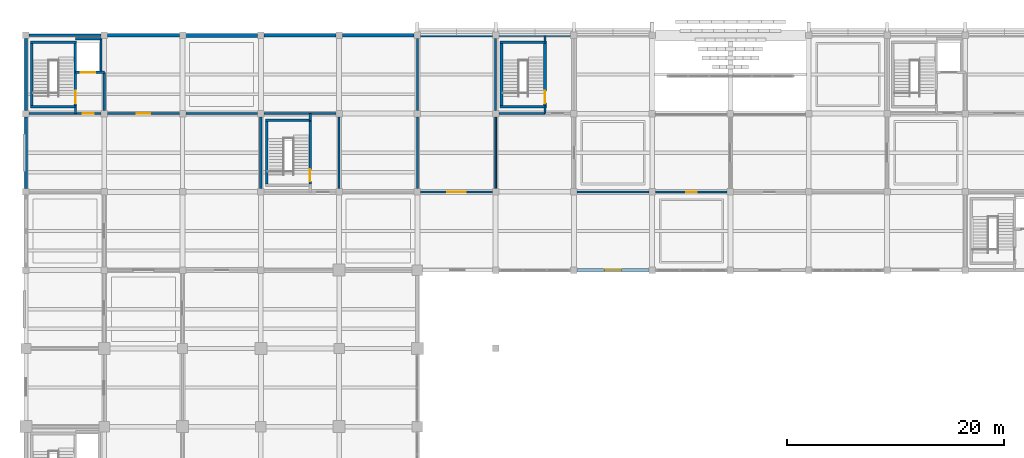
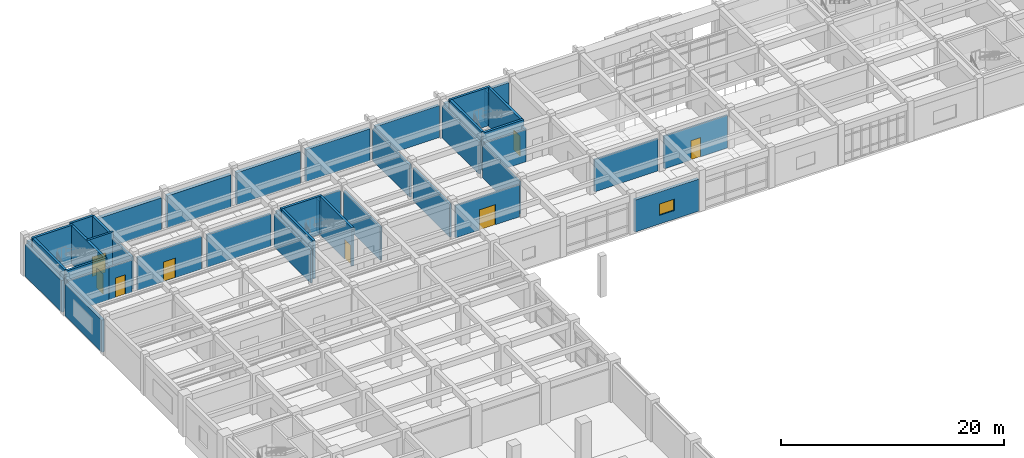
# One storey, part 65 of 81: 45 walls, 8 doors, 1 window, 9 openings.
"""IFC4 building model written with IfcOpenShell, lengths in metres."""

from ifc_helpers import new_model, si_unit, direction, frame, frame_2d, origin, place, context, subcontext, project, spatial, rectangle, extrude, material, layer, layer_set, type_object, element, fill, save


model = new_model("IFC4")

# Units and contexts
model_context = context("Model", 3, precision=1e-05, world=origin(), true_north=direction((0.0, 1.0)))
body_context = subcontext(model_context, "Body", "Model", "MODEL_VIEW")
ifc_project = project(units=[si_unit("LENGTHUNIT", "METRE"), si_unit("AREAUNIT", "SQUARE_METRE"), si_unit("VOLUMEUNIT", "CUBIC_METRE"), si_unit("PLANEANGLEUNIT", "RADIAN"), si_unit("MASSUNIT", "GRAM", prefix="KILO")], contexts=[model_context])

# Site, building, storey
site_placement = place(None, origin())
site = spatial("IfcSite", under=ifc_project, at=site_placement, CompositionType="ELEMENT")
building_placement = place(site_placement, origin())
building = spatial("IfcBuilding", under=site, at=building_placement, Name="Kavelor Marine Aquarium", CompositionType="ELEMENT")
storey_placement = place(building_placement, frame((0.0, 0.0, 4.679931640625)))
storey = spatial("IfcBuildingStorey", under=building, at=storey_placement, Name="L01", CompositionType="ELEMENT", Elevation=4.679931640625)

# Walls
ifc_material_1 = material(Name="Concrete C45/55", Category="concrete")
ifc_layer_1 = layer(ifc_material_1, 0.360107421875)
ifc_layer_set_1 = layer_set([ifc_layer_1], Name="WL-EX1")
wall_type_1 = type_object("IfcWallType", Name="WL-EX1", PredefinedType="STANDARD", material=ifc_layer_set_1)
wall_1_placement = place(storey_placement, frame((17.89501953125, 110.800048828125, 0.0), z_axis=(0.0, 0.0, 1.0), x_axis=(1.0, 0.0, 0.0)))
element("IfcWall", 1, at=wall_1_placement, inside=storey, type_object=wall_type_1, Name="ew:x:L01:02_15", PredefinedType="STANDARD", context=body_context, shape_type="SweptSolid", body=[
    extrude(rectangle(XDim=6.60986328125, YDim=0.360107421875, at=frame_2d((3.304931640625, 0.0))), origin(), (0.0, 0.0, 1.0), 3.489990234375),
])
ifc_material_2 = material(Name="Concrete C45/55", Category="concrete")
ifc_layer_2 = layer(ifc_material_2, 0.320068359375)
ifc_layer_set_2 = layer_set([ifc_layer_2], Name="WL-EX2")
wall_type_2 = type_object("IfcWallType", Name="WL-EX2", PredefinedType="STANDARD", material=ifc_layer_set_2)
wall_2_placement = place(storey_placement, frame((25.094970703125, 110.800048828125, 0.0), z_axis=(0.0, 0.0, 1.0), x_axis=(1.0, 0.0, 0.0)))
element("IfcWall", 2, at=wall_2_placement, inside=storey, type_object=wall_type_2, Name="ew:x:L01:03_15", PredefinedType="STANDARD", context=body_context, shape_type="SweptSolid", body=[
    extrude(rectangle(XDim=6.610107421875, YDim=0.320068359375, at=frame_2d((3.30517578125, 0.0))), origin(), (0.0, 0.0, 1.0), 3.510009765625),
])
ifc_material_3 = material(Name="Concrete C40/50", Category="concrete")
ifc_layer_3 = layer(ifc_material_3, 0.300048828125)
ifc_layer_set_3 = layer_set([ifc_layer_3], Name="WL-EX3")
wall_type_3 = type_object("IfcWallType", Name="WL-EX3", PredefinedType="STANDARD", material=ifc_layer_set_3)
wall_3_placement = place(storey_placement, frame((32.294921875, 110.800048828125, 0.0), z_axis=(0.0, 0.0, 1.0), x_axis=(1.0, 0.0, 0.0)))
element("IfcWall", 3, at=wall_3_placement, inside=storey, type_object=wall_type_3, Name="ew:x:L01:04_15", PredefinedType="STANDARD", context=body_context, shape_type="SweptSolid", body=[
    extrude(rectangle(XDim=6.610107421875, YDim=0.300048828125, at=frame_2d((3.30517578125, 0.0))), origin(), (0.0, 0.0, 1.0), 3.489990234375),
])

# Wall, opening, window
wall_4_placement = place(storey_placement, frame((60.5048828125, 89.199951171875, 0.0), z_axis=(0.0, 0.0, 1.0), x_axis=(-1.0, 0.0, 0.0)))
wall_4 = element("IfcWall", 4, at=wall_4_placement, inside=storey, type_object=wall_type_3, Name="ew:x:L01:07_12", PredefinedType="STANDARD", context=body_context, shape_type="SweptSolid", body=[
    extrude(rectangle(XDim=6.60986328125, YDim=0.300048828125, at=frame_2d((3.304931640625, 0.0))), origin(), (0.0, 0.0, 1.0), 3.510009765625),
])
opening_1_placement = place(wall_4_placement, frame((2.530029296875, 0.0, 0.949951171875)))
opening_1 = element("IfcOpeningElement", 5, at=opening_1_placement, cuts=wall_4, Name="Opening W27", PredefinedType="OPENING", context=body_context, shape_type="SweptSolid", body=[
    extrude(rectangle(XDim=1.550048828125, YDim=1.25, at=frame_2d((0.77490234375, 0.625))), frame((0.0, 0.159912109375, 0.0), z_axis=(0.0, -1.0, 0.0), x_axis=(1.0, 0.0, 0.0)), (0.0, 0.0, 1.0), 0.320049),
])
ifc_material_4 = material(Name="Anodised Aluminium Frame with Low-E Double Glazing", Category="aluminium")
window_type = type_object("IfcWindowType", Name="WIN-W27", PartitioningType="SINGLE_PANEL", PredefinedType="WINDOW", material=ifc_material_4)
window_placement = place(opening_1_placement, origin())
window = element("IfcWindow", 6, at=window_placement, inside=storey, type_object=window_type, Name="win:x:L01:07_12", OverallHeight=1.25, OverallWidth=1.550048828125, PartitioningType="SINGLE_PANEL", PredefinedType="WINDOW", context=body_context, shape_type="SweptSolid", body=[
    extrude(rectangle(XDim=1.550048828125, YDim=1.25, at=frame_2d((0.77490234375, 0.625))), frame((0.0, 0.030029296875, 0.0), z_axis=(0.0, -1.0, 0.0), x_axis=(1.0, 0.0, 0.0)), (0.0, 0.0, 1.0), 0.06005859375),
])
fill(opening_1, window)

# Walls
wall_5_placement = place(storey_placement, frame((3.199951171875, 96.695068359375, 0.0), z_axis=(0.0, 0.0, 1.0), x_axis=(0.0, 1.0, 0.0)))
element("IfcWall", 7, at=wall_5_placement, inside=storey, type_object=wall_type_3, Name="ew:y:L01:00_13", PredefinedType="STANDARD", context=body_context, shape_type="SweptSolid", body=[
    extrude(rectangle(XDim=6.60986328125, YDim=0.300048828125, at=frame_2d((3.304931640625, 0.0))), origin(), (0.0, 0.0, 1.0), 3.510009765625),
])
ifc_material_5 = material(Name="Concrete C40/50", Category="concrete")
ifc_layer_4 = layer(ifc_material_5, 0.280029296875)
ifc_layer_set_4 = layer_set([ifc_layer_4], Name="WL-EX4")
wall_type_4 = type_object("IfcWallType", Name="WL-EX4", PredefinedType="STANDARD", material=ifc_layer_set_4)
wall_6_placement = place(storey_placement, frame((39.4951171875, 110.800048828125, 0.0), z_axis=(0.0, 0.0, 1.0), x_axis=(1.0, 0.0, 0.0)))
element("IfcWall", 8, at=wall_6_placement, inside=storey, type_object=wall_type_4, Name="ew:x:L01:05_15", PredefinedType="STANDARD", context=body_context, shape_type="SweptSolid", body=[
    extrude(rectangle(XDim=6.60986328125, YDim=0.280029296875, at=frame_2d((3.304931640625, 0.0))), origin(), (0.0, 0.0, 1.0), 3.510009765625),
])
wall_7_placement = place(storey_placement, frame((3.199951171875, 103.89501953125, 0.0), z_axis=(0.0, 0.0, 1.0), x_axis=(0.0, 1.0, 0.0)))
element("IfcWall", 9, at=wall_7_placement, inside=storey, type_object=wall_type_4, Name="ew:y:L01:00_14", PredefinedType="STANDARD", context=body_context, shape_type="SweptSolid", body=[
    extrude(rectangle(XDim=6.60986328125, YDim=0.280029296875, at=frame_2d((3.304931640625, 0.0))), origin(), (0.0, 0.0, 1.0), 3.489990234375),
])
ifc_material_6 = material(Name="Concrete C40/50", Category="concrete")
ifc_layer_5 = layer(ifc_material_6, 0.260009765625)
ifc_layer_set_5 = layer_set([ifc_layer_5], Name="WL-EX5")
wall_type_5 = type_object("IfcWallType", Name="WL-EX5", PredefinedType="STANDARD", material=ifc_layer_set_5)
for number, where, z_axis, x_axis, name in (
    (10, (3.4951171875, 110.800048828125, 0.0), (0.0, 0.0, 1.0), (1.0, 0.0, 0.0), "ew:x:L01:00_15"),
    (11, (46.695068359375, 110.800048828125, 0.0), (0.0, 0.0, 1.0), (1.0, 0.0, 0.0), "ew:x:L01:06_15"),
):
    element("IfcWall", number, at=place(storey_placement, frame(where, z_axis=z_axis, x_axis=x_axis)), inside=storey, type_object=wall_type_5, Name=name, PredefinedType="STANDARD", context=body_context, shape_type="SweptSolid", body=[
        extrude(rectangle(XDim=6.60986328125, YDim=0.260009765625, at=frame_2d((3.304931640625, 0.0))), origin(), (0.0, 0.0, 1.0), 3.489990234375),
    ])
ifc_material_7 = material(Name="Concrete C45/55", Category="concrete")
ifc_layer_6 = layer(ifc_material_7, 0.340087890625)
ifc_layer_set_6 = layer_set([ifc_layer_6], Name="WL-EX6")
wall_type_6 = type_object("IfcWallType", Name="WL-EX6", PredefinedType="STANDARD", material=ifc_layer_set_6)
wall_8_placement = place(storey_placement, frame((10.695068359375, 110.800048828125, 0.0), z_axis=(0.0, 0.0, 1.0), x_axis=(1.0, 0.0, 0.0)))
element("IfcWall", 12, at=wall_8_placement, inside=storey, type_object=wall_type_6, Name="ew:x:L01:01_15", PredefinedType="STANDARD", context=body_context, shape_type="SweptSolid", body=[
    extrude(rectangle(XDim=6.60986328125, YDim=0.340087890625, at=frame_2d((3.304931640625, 0.0))), origin(), (0.0, 0.0, 1.0), 3.510009765625),
])
ifc_material_8 = material(Name="Concrete Blockwork Partition", Category="masonry")
ifc_layer_7 = layer(ifc_material_8, 0.199951171875)
ifc_layer_set_7 = layer_set([ifc_layer_7], Name="WL-PT1")
wall_type_7 = type_object("IfcWallType", Name="WL-PT1", PredefinedType="PARTITIONING", material=ifc_layer_set_7)
wall_9_placement = place(storey_placement, frame((7.739990234375, 103.60009765625, 0.0), z_axis=(0.0, 0.0, 1.0), x_axis=(0.0, 1.0, 0.0)))
element("IfcWall", 13, at=wall_9_placement, inside=storey, type_object=wall_type_7, Name="pt:st_close:s:C01:L01", PredefinedType="PARTITIONING", context=body_context, shape_type="SweptSolid", body=[
    extrude(rectangle(XDim=0.619873046875, YDim=0.199951171875, at=frame_2d((0.31005859375, 0.0))), origin(), (0.0, 0.0, 1.0), 3.5400390625),
])
wall_10_placement = place(storey_placement, frame((10.39990234375, 103.89990234375, 0.0), z_axis=(0.0, 0.0, 1.0), x_axis=(0.0, 1.0, 0.0)))
element("IfcWall", 14, at=wall_10_placement, inside=storey, type_object=wall_type_7, Name="pt:lob:C01:L01:e", PredefinedType="PARTITIONING", context=body_context, shape_type="SweptSolid", body=[
    extrude(rectangle(XDim=3.5, YDim=0.199951171875, at=frame_2d((1.75, 0.0))), origin(), (0.0, 0.0, 1.0), 3.5400390625),
])
wall_11_placement = place(storey_placement, frame((3.5, 103.60009765625, 0.0), z_axis=(0.0, 0.0, 1.0), x_axis=(1.0, 0.0, 0.0)))
element("IfcWall", 15, at=wall_11_placement, inside=storey, type_object=wall_type_7, Name="pt:lob:C01:L01:s_st", PredefinedType="PARTITIONING", context=body_context, shape_type="SweptSolid", body=[
    extrude(rectangle(XDim=4.239990234375, YDim=0.199951171875, at=frame_2d((2.1201171875, 0.0))), origin(), (0.0, 0.0, 1.0), 3.5400390625),
])

# Wall, opening, door
wall_12_placement = place(storey_placement, frame((7.739990234375, 103.60009765625, 0.0), z_axis=(0.0, 0.0, 1.0), x_axis=(1.0, 0.0, 0.0)))
wall_12 = element("IfcWall", 16, at=wall_12_placement, inside=storey, type_object=wall_type_7, Name="pt:lob:C01:L01:s", PredefinedType="PARTITIONING", context=body_context, shape_type="SweptSolid", body=[
    extrude(rectangle(XDim=2.360107421875, YDim=0.199951171875, at=frame_2d((1.18017578125, 0.0))), origin(), (0.0, 0.0, 1.0), 3.5400390625),
])
opening_2_placement = place(wall_12_placement, frame((0.669921875, 0.0, 0.0)))
opening_2 = element("IfcOpeningElement", 17, at=opening_2_placement, cuts=wall_12, Name="Opening SD1", PredefinedType="OPENING", context=body_context, shape_type="SweptSolid", body=[
    extrude(rectangle(XDim=1.02001953125, YDim=2.14990234375, at=frame_2d((0.510009765625, 1.074951171875))), frame((0.0, 0.10986328125, 0.0), z_axis=(0.0, -1.0, 0.0), x_axis=(1.0, 0.0, 0.0)), (0.0, 0.0, 1.0), 0.219951),
])
ifc_material_9 = material(Name="Fire-Rated Corridor Compartment Door")
door_type_1 = type_object("IfcDoorType", Name="DR-SD1", OperationType="NOTDEFINED", PredefinedType="DOOR", material=ifc_material_9)
door_1_placement = place(opening_2_placement, origin())
door_1 = element("IfcDoor", 18, at=door_1_placement, inside=storey, type_object=door_type_1, Name="Core Lobby Fire Door C01-L01", OperationType="SINGLE_SWING_RIGHT", OverallHeight=2.14990234375, OverallWidth=1.02001953125, PredefinedType="DOOR", context=body_context, shape_type="SweptSolid", body=[
    extrude(rectangle(XDim=1.02001953125, YDim=2.14990234375, at=frame_2d((0.510009765625, 1.074951171875))), frame((0.0, 0.02490234375, 0.0), z_axis=(0.0, -1.0, 0.0), x_axis=(1.0, 0.0, 0.0)), (0.0, 0.0, 1.0), 0.050048828125),
])
fill(opening_2, door_1)

# Walls
wall_13_placement = place(storey_placement, frame((29.340087890625, 102.97998046875, 0.0), z_axis=(0.0, 0.0, 1.0), x_axis=(0.0, 1.0, 0.0)))
element("IfcWall", 19, at=wall_13_placement, inside=storey, type_object=wall_type_7, Name="pt:st_close:n:C02:L01", PredefinedType="PARTITIONING", context=body_context, shape_type="SweptSolid", body=[
    extrude(rectangle(XDim=0.6201171875, YDim=0.199951171875, at=frame_2d((0.31005859375, 0.0))), origin(), (0.0, 0.0, 1.0), 3.590087890625),
])
for number, where, z_axis, x_axis, name in (
    (20, (24.800048828125, 96.699951171875, 0.0), (0.0, 0.0, 1.0), (0.0, 1.0, 0.0), "pt:lob:C02:L01:w"),
    (21, (32.0, 96.699951171875, 0.0), (0.0, 0.0, 1.0), (0.0, 1.0, 0.0), "pt:lob:C02:L01:e"),
):
    element("IfcWall", number, at=place(storey_placement, frame(where, z_axis=z_axis, x_axis=x_axis)), inside=storey, type_object=wall_type_7, Name=name, PredefinedType="PARTITIONING", context=body_context, shape_type="SweptSolid", body=[
        extrude(rectangle(XDim=6.60009765625, YDim=0.199951171875, at=frame_2d((3.300048828125, 0.0))), origin(), (0.0, 0.0, 1.0), 3.590087890625),
    ])
wall_14_placement = place(storey_placement, frame((25.10009765625, 103.60009765625, 0.0), z_axis=(0.0, 0.0, 1.0), x_axis=(1.0, 0.0, 0.0)))
element("IfcWall", 22, at=wall_14_placement, inside=storey, type_object=wall_type_7, Name="pt:lob:C02:L01:n_st", PredefinedType="PARTITIONING", context=body_context, shape_type="SweptSolid", body=[
    extrude(rectangle(XDim=4.239990234375, YDim=0.199951171875, at=frame_2d((2.1201171875, 0.0))), origin(), (0.0, 0.0, 1.0), 3.590087890625),
])
wall_15_placement = place(storey_placement, frame((29.340087890625, 103.60009765625, 0.0), z_axis=(0.0, 0.0, 1.0), x_axis=(1.0, 0.0, 0.0)))
element("IfcWall", 23, at=wall_15_placement, inside=storey, type_object=wall_type_7, Name="pt:lob:C02:L01:n", PredefinedType="PARTITIONING", context=body_context, shape_type="SweptSolid", body=[
    extrude(rectangle(XDim=2.35986328125, YDim=0.199951171875, at=frame_2d((1.179931640625, 0.0))), origin(), (0.0, 0.0, 1.0), 3.590087890625),
])
wall_16_placement = place(storey_placement, frame((50.93994140625, 103.60009765625, 0.0), z_axis=(0.0, 0.0, 1.0), x_axis=(0.0, 1.0, 0.0)))
element("IfcWall", 24, at=wall_16_placement, inside=storey, type_object=wall_type_7, Name="pt:st_close:s:C05:L01", PredefinedType="PARTITIONING", context=body_context, shape_type="SweptSolid", body=[
    extrude(rectangle(XDim=0.619873046875, YDim=0.199951171875, at=frame_2d((0.31005859375, 0.0))), origin(), (0.0, 0.0, 1.0), 3.5400390625),
])
wall_17_placement = place(storey_placement, frame((50.93994140625, 110.179931640625, 0.0), z_axis=(0.0, 0.0, 1.0), x_axis=(0.0, 1.0, 0.0)))
element("IfcWall", 25, at=wall_17_placement, inside=storey, type_object=wall_type_7, Name="pt:st_close:n:C05:L01", PredefinedType="PARTITIONING", context=body_context, shape_type="SweptSolid", body=[
    extrude(rectangle(XDim=0.6201171875, YDim=0.199951171875, at=frame_2d((0.31005859375, 0.0))), origin(), (0.0, 0.0, 1.0), 3.489990234375),
])
wall_18_placement = place(storey_placement, frame((46.39990234375, 103.89990234375, 0.0), z_axis=(0.0, 0.0, 1.0), x_axis=(0.0, 1.0, 0.0)))
element("IfcWall", 26, at=wall_18_placement, inside=storey, type_object=wall_type_7, Name="pt:lob:C05:L01:w", PredefinedType="PARTITIONING", context=body_context, shape_type="SweptSolid", body=[
    extrude(rectangle(XDim=6.60009765625, YDim=0.199951171875, at=frame_2d((3.300048828125, 0.0))), origin(), (0.0, 0.0, 1.0), 3.5400390625),
])
wall_19_placement = place(storey_placement, frame((46.699951171875, 103.60009765625, 0.0), z_axis=(0.0, 0.0, 1.0), x_axis=(1.0, 0.0, 0.0)))
element("IfcWall", 27, at=wall_19_placement, inside=storey, type_object=wall_type_7, Name="pt:lob:C05:L01:s_st", PredefinedType="PARTITIONING", context=body_context, shape_type="SweptSolid", body=[
    extrude(rectangle(XDim=4.239990234375, YDim=0.199951171875, at=frame_2d((2.1201171875, 0.0))), origin(), (0.0, 0.0, 1.0), 3.5400390625),
])

# Wall, opening, door
wall_20_placement = place(storey_placement, frame((10.699951171875, 103.60009765625, 0.0), z_axis=(0.0, 0.0, 1.0), x_axis=(1.0, 0.0, 0.0)))
wall_20 = element("IfcWall", 28, at=wall_20_placement, inside=storey, type_object=wall_type_7, Name="pt:x:L01:01_13", PredefinedType="PARTITIONING", context=body_context, shape_type="SweptSolid", body=[
    extrude(rectangle(XDim=6.60009765625, YDim=0.199951171875, at=frame_2d((3.300048828125, 0.0))), origin(), (0.0, 0.0, 1.0), 3.590087890625),
])
opening_3_placement = place(wall_20_placement, frame((2.68994140625, 0.0, 0.0)))
opening_3 = element("IfcOpeningElement", 29, at=opening_3_placement, cuts=wall_20, Name="Opening D06", PredefinedType="OPENING", context=body_context, shape_type="SweptSolid", body=[
    extrude(rectangle(XDim=1.219970703125, YDim=2.159912109375, at=frame_2d((0.60986328125, 1.080078125))), frame((0.0, 0.10986328125, 0.0), z_axis=(0.0, -1.0, 0.0), x_axis=(1.0, 0.0, 0.0)), (0.0, 0.0, 1.0), 0.219951),
])
ifc_material_10 = material(Name="Biosecure Quarantine Plant Room Door")
door_type_2 = type_object("IfcDoorType", Name="DR-D06", OperationType="NOTDEFINED", PredefinedType="DOOR", material=ifc_material_10)
door_2_placement = place(opening_3_placement, origin())
door_2 = element("IfcDoor", 30, at=door_2_placement, inside=storey, type_object=door_type_2, Name="dr:rm:pt:x:L01:01_13:0", OperationType="SINGLE_SWING_LEFT", OverallHeight=2.159912109375, OverallWidth=1.219970703125, PredefinedType="DOOR", context=body_context, shape_type="SweptSolid", body=[
    extrude(rectangle(XDim=1.219970703125, YDim=2.159912109375, at=frame_2d((0.60986328125, 1.080078125))), frame((0.0, 0.02490234375, 0.0), z_axis=(0.0, -1.0, 0.0), x_axis=(1.0, 0.0, 0.0)), (0.0, 0.0, 1.0), 0.050048828125),
])
fill(opening_3, door_2)

# Walls
wall_21_placement = place(storey_placement, frame((17.89990234375, 103.60009765625, 0.0), z_axis=(0.0, 0.0, 1.0), x_axis=(1.0, 0.0, 0.0)))
element("IfcWall", 31, at=wall_21_placement, inside=storey, type_object=wall_type_7, Name="pt:x:L01:02_13", PredefinedType="PARTITIONING", context=body_context, shape_type="SweptSolid", body=[
    extrude(rectangle(XDim=6.60009765625, YDim=0.199951171875, at=frame_2d((3.300048828125, 0.0))), origin(), (0.0, 0.0, 1.0), 3.5400390625),
])
wall_22_placement = place(storey_placement, frame((39.199951171875, 96.699951171875, 0.0), z_axis=(0.0, 0.0, 1.0), x_axis=(0.0, 1.0, 0.0)))
element("IfcWall", 32, at=wall_22_placement, inside=storey, type_object=wall_type_7, Name="pt:y:L01:04_13", PredefinedType="PARTITIONING", context=body_context, shape_type="SweptSolid", body=[
    extrude(rectangle(XDim=6.60009765625, YDim=0.199951171875, at=frame_2d((3.300048828125, 0.0))), origin(), (0.0, 0.0, 1.0), 3.590087890625),
])
wall_23_placement = place(storey_placement, frame((39.199951171875, 103.89990234375, 0.0), z_axis=(0.0, 0.0, 1.0), x_axis=(0.0, 1.0, 0.0)))
element("IfcWall", 33, at=wall_23_placement, inside=storey, type_object=wall_type_7, Name="pt:y:L01:04_14", PredefinedType="PARTITIONING", context=body_context, shape_type="SweptSolid", body=[
    extrude(rectangle(XDim=6.60009765625, YDim=0.199951171875, at=frame_2d((3.300048828125, 0.0))), origin(), (0.0, 0.0, 1.0), 3.5400390625),
])

# Wall, opening, door
ifc_material_11 = material(Name="Acoustic Gypsum Stud Partition")
ifc_layer_8 = layer(ifc_material_11, 0.159912109375)
ifc_layer_set_8 = layer_set([ifc_layer_8], Name="WL-PT2")
wall_type_8 = type_object("IfcWallType", Name="WL-PT2", PredefinedType="PARTITIONING", material=ifc_layer_set_8)
wall_24_placement = place(storey_placement, frame((39.5, 96.39990234375, 0.0), z_axis=(0.0, 0.0, 1.0), x_axis=(1.0, 0.0, 0.0)))
wall_24 = element("IfcWall", 34, at=wall_24_placement, inside=storey, type_object=wall_type_8, Name="pt:x:L01:05_12", PredefinedType="PARTITIONING", context=body_context, shape_type="SweptSolid", body=[
    extrude(rectangle(XDim=6.60009765625, YDim=0.159912109375, at=frame_2d((3.300048828125, 0.0))), origin(), (0.0, 0.0, 1.0), 3.5400390625),
])
opening_4_placement = place(wall_24_placement, frame((2.469970703125, 0.0, 0.0)))
opening_4 = element("IfcOpeningElement", 35, at=opening_4_placement, cuts=wall_24, Name="Opening D12", PredefinedType="OPENING", context=body_context, shape_type="SweptSolid", body=[
    extrude(rectangle(XDim=1.659912109375, YDim=2.219970703125, at=frame_2d((0.830078125, 1.10986328125))), frame((0.0, 0.08984375, 0.0), z_axis=(0.0, -1.0, 0.0), x_axis=(1.0, 0.0, 0.0)), (0.0, 0.0, 1.0), 0.179912),
])
ifc_material_12 = material(Name="Amphitheatre Vestibule Double Door")
door_type_3 = type_object("IfcDoorType", Name="DR-D12", OperationType="NOTDEFINED", PredefinedType="DOOR", material=ifc_material_12)
door_3_placement = place(opening_4_placement, origin())
door_3 = element("IfcDoor", 36, at=door_3_placement, inside=storey, type_object=door_type_3, Name="dr:rm:pt:x:L01:05_12:0", OperationType="DOUBLE_DOOR_SINGLE_SWING", OverallHeight=2.219970703125, OverallWidth=1.659912109375, PredefinedType="DOOR", context=body_context, shape_type="SweptSolid", body=[
    extrude(rectangle(XDim=1.659912109375, YDim=2.219970703125, at=frame_2d((0.830078125, 1.10986328125))), frame((0.0, 0.02490234375, 0.0), z_axis=(0.0, -1.0, 0.0), x_axis=(1.0, 0.0, 0.0)), (0.0, 0.0, 1.0), 0.050048828125),
])
fill(opening_4, door_3)

# Walls
wall_25_placement = place(storey_placement, frame((46.39990234375, 96.699951171875, 0.0), z_axis=(0.0, 0.0, 1.0), x_axis=(0.0, 1.0, 0.0)))
element("IfcWall", 37, at=wall_25_placement, inside=storey, type_object=wall_type_8, Name="pt:y:L01:05_13", PredefinedType="PARTITIONING", context=body_context, shape_type="SweptSolid", body=[
    extrude(rectangle(XDim=6.60009765625, YDim=0.159912109375, at=frame_2d((3.300048828125, 0.0))), origin(), (0.0, 0.0, 1.0), 3.590087890625),
])
wall_26_placement = place(storey_placement, frame((53.89990234375, 96.39990234375, 0.0), z_axis=(0.0, 0.0, 1.0), x_axis=(1.0, 0.0, 0.0)))
element("IfcWall", 38, at=wall_26_placement, inside=storey, type_object=wall_type_8, Name="pt:x:L01:07_12", PredefinedType="PARTITIONING", context=body_context, shape_type="SweptSolid", body=[
    extrude(rectangle(XDim=6.60009765625, YDim=0.159912109375, at=frame_2d((3.300048828125, 0.0))), origin(), (0.0, 0.0, 1.0), 3.5400390625),
])

# Wall, opening, door
wall_27_placement = place(storey_placement, frame((61.10009765625, 96.39990234375, 0.0), z_axis=(0.0, 0.0, 1.0), x_axis=(1.0, 0.0, 0.0)))
wall_27 = element("IfcWall", 39, at=wall_27_placement, inside=storey, type_object=wall_type_8, Name="pt:x:L01:08_12", PredefinedType="PARTITIONING", context=body_context, shape_type="SweptSolid", body=[
    extrude(rectangle(XDim=6.599853515625, YDim=0.159912109375, at=frame_2d((3.2998046875, 0.0))), origin(), (0.0, 0.0, 1.0), 3.590087890625),
])
opening_5_placement = place(wall_27_placement, frame((2.81005859375, 0.0, 0.0)))
opening_5 = element("IfcOpeningElement", 40, at=opening_5_placement, cuts=wall_27, Name="Opening D07", PredefinedType="OPENING", context=body_context, shape_type="SweptSolid", body=[
    extrude(rectangle(XDim=0.97998046875, YDim=2.1201171875, at=frame_2d((0.489990234375, 1.06005859375))), frame((0.0, 0.08984375, 0.0), z_axis=(0.0, -1.0, 0.0), x_axis=(1.0, 0.0, 0.0)), (0.0, 0.0, 1.0), 0.179912),
])
ifc_material_13 = material(Name="Research Write-Up Timber Door", Category="wood")
door_type_4 = type_object("IfcDoorType", Name="DR-D07", OperationType="NOTDEFINED", PredefinedType="DOOR", material=ifc_material_13)
door_4_placement = place(opening_5_placement, origin())
door_4 = element("IfcDoor", 41, at=door_4_placement, inside=storey, type_object=door_type_4, Name="dr:rm:pt:x:L01:08_12:1", OperationType="SINGLE_SWING_RIGHT", OverallHeight=2.1201171875, OverallWidth=0.97998046875, PredefinedType="DOOR", context=body_context, shape_type="SweptSolid", body=[
    extrude(rectangle(XDim=0.97998046875, YDim=2.1201171875, at=frame_2d((0.489990234375, 1.06005859375))), frame((0.0, 0.02490234375, 0.0), z_axis=(0.0, -1.0, 0.0), x_axis=(1.0, 0.0, 0.0)), (0.0, 0.0, 1.0), 0.050048828125),
])
fill(opening_5, door_4)

# Walls
ifc_material_14 = material(Name="Concrete C40/50", Category="concrete")
ifc_layer_9 = layer(ifc_material_14, 0.35009765625)
ifc_layer_set_9 = layer_set([ifc_layer_9], Name="WL-SW2")
wall_type_9 = type_object("IfcWallType", Name="WL-SW2", PredefinedType="SHEAR", material=ifc_layer_set_9)
for number, where, z_axis, x_axis, name in (
    (42, (3.6201171875, 104.219970703125, 0.0), (0.0, 0.0, 1.0), (1.0, 0.0, 0.0), "cw_st:s:C01:L01"),
    (43, (3.6201171875, 110.179931640625, 0.0), (0.0, 0.0, 1.0), (1.0, 0.0, 0.0), "cw_st:n:C01:L01"),
):
    element("IfcWall", number, at=place(storey_placement, frame(where, z_axis=z_axis, x_axis=x_axis)), inside=storey, type_object=wall_type_9, Name=name, PredefinedType="SHEAR", context=body_context, shape_type="SweptSolid", body=[
        extrude(rectangle(XDim=4.239990234375, YDim=0.239990234375, at=frame_2d((2.1201171875, 0.0))), origin(), (0.0, 0.0, 1.0), 4.199951171875),
    ])
wall_28_placement = place(storey_placement, frame((3.739990234375, 104.340087890625, 0.0), z_axis=(0.0, 0.0, 1.0), x_axis=(0.0, 1.0, 0.0)))
element("IfcWall", 44, at=wall_28_placement, inside=storey, type_object=wall_type_9, Name="cw_st:w:C01:L01", PredefinedType="SHEAR", context=body_context, shape_type="SweptSolid", body=[
    extrude(rectangle(XDim=5.719970703125, YDim=0.239990234375, at=frame_2d((2.85986328125, 0.0))), origin(), (0.0, 0.0, 1.0), 4.199951171875),
])

# Wall, opening, door
wall_29_placement = place(storey_placement, frame((7.739990234375, 104.340087890625, 0.0), z_axis=(0.0, 0.0, 1.0), x_axis=(0.0, 1.0, 0.0)))
wall_29 = element("IfcWall", 45, at=wall_29_placement, inside=storey, type_object=wall_type_9, Name="cw_st:e:C01:L01", PredefinedType="SHEAR", context=body_context, shape_type="SweptSolid", body=[
    extrude(rectangle(XDim=5.719970703125, YDim=0.239990234375, at=frame_2d((2.85986328125, 0.0))), origin(), (0.0, 0.0, 1.0), 4.199951171875),
])
opening_6_placement = place(wall_29_placement, frame((0.219970703125, 0.0, 0.0)))
opening_6 = element("IfcOpeningElement", 46, at=opening_6_placement, cuts=wall_29, Name="Opening FD1", PredefinedType="OPENING", context=body_context, shape_type="SweptSolid", body=[
    extrude(rectangle(XDim=1.1201171875, YDim=2.14990234375, at=frame_2d((0.56005859375, 1.074951171875))), frame((0.0, 0.1298828125, 0.0), z_axis=(0.0, -1.0, 0.0), x_axis=(1.0, 0.0, 0.0)), (0.0, 0.0, 1.0), 0.25999),
])
ifc_material_15 = material(Name="Fire-Rated Steel Stair and Core Door", Category="steel")
door_type_5 = type_object("IfcDoorType", Name="DR-FD1", OperationType="NOTDEFINED", PredefinedType="DOOR", material=ifc_material_15)
door_5_placement = place(opening_6_placement, origin())
door_5 = element("IfcDoor", 47, at=door_5_placement, inside=storey, type_object=door_type_5, Name="Stair Fire Door ST01-L01", OperationType="SINGLE_SWING_LEFT", OverallHeight=2.14990234375, OverallWidth=1.1201171875, PredefinedType="DOOR", context=body_context, shape_type="SweptSolid", body=[
    extrude(rectangle(XDim=1.1201171875, YDim=2.14990234375, at=frame_2d((0.56005859375, 1.074951171875))), frame((0.0, 0.02490234375, 0.0), z_axis=(0.0, -1.0, 0.0), x_axis=(1.0, 0.0, 0.0)), (0.0, 0.0, 1.0), 0.050048828125),
])
fill(opening_6, door_5)

wall_30_placement = place(storey_placement, frame((7.739990234375, 107.39990234375, 0.0), z_axis=(0.0, 0.0, 1.0), x_axis=(1.0, 0.0, 0.0)))
wall_30 = element("IfcWall", 48, at=wall_30_placement, inside=storey, type_object=wall_type_9, Name="cw_lf:s:C01:L01", PredefinedType="SHEAR", context=body_context, shape_type="SweptSolid", body=[
    extrude(rectangle(XDim=2.659912109375, YDim=0.219970703125, at=frame_2d((1.330078125, 0.0))), origin(), (0.0, 0.0, 1.0), 4.199951171875),
])
opening_7_placement = place(wall_30_placement, frame((0.510009765625, 0.0, 0.0)))
opening_7 = element("IfcOpeningElement", 49, at=opening_7_placement, cuts=wall_30, Name="Opening LD2", PredefinedType="OPENING", context=body_context, shape_type="SweptSolid", body=[
    extrude(rectangle(XDim=1.340087890625, YDim=2.14990234375, at=frame_2d((0.669921875, 1.074951171875))), frame((0.0, 0.119873046875, 0.0), z_axis=(0.0, -1.0, 0.0), x_axis=(1.0, 0.0, 0.0)), (0.0, 0.0, 1.0), 0.239971),
])
ifc_material_16 = material(Name="Stainless Steel Goods and Stretcher Lift Sliding Door", Category="steel")
door_type_6 = type_object("IfcDoorType", Name="DR-LD2", OperationType="NOTDEFINED", PredefinedType="DOOR", material=ifc_material_16)
door_6_placement = place(opening_7_placement, origin())
door_6 = element("IfcDoor", 50, at=door_6_placement, inside=storey, type_object=door_type_6, Name="Lift Landing Sliding Door GL1-L01", OperationType="DOUBLE_DOOR_SLIDING", OverallHeight=2.14990234375, OverallWidth=1.340087890625, PredefinedType="DOOR", context=body_context, shape_type="SweptSolid", body=[
    extrude(rectangle(XDim=1.340087890625, YDim=2.14990234375, at=frame_2d((0.669921875, 1.074951171875))), frame((0.0, 0.02490234375, 0.0), z_axis=(0.0, -1.0, 0.0), x_axis=(1.0, 0.0, 0.0)), (0.0, 0.0, 1.0), 0.050048828125),
])
fill(opening_7, door_6)

# Walls
wall_31_placement = place(storey_placement, frame((7.739990234375, 110.5, 0.0), z_axis=(0.0, 0.0, 1.0), x_axis=(1.0, 0.0, 0.0)))
element("IfcWall", 51, at=wall_31_placement, inside=storey, type_object=wall_type_9, Name="cw_lf:n:C01:L01", PredefinedType="SHEAR", context=body_context, shape_type="SweptSolid", body=[
    extrude(rectangle(XDim=2.360107421875, YDim=0.219970703125, at=frame_2d((1.18017578125, 0.0))), origin(), (0.0, 0.0, 1.0), 4.199951171875),
])
wall_32_placement = place(storey_placement, frame((10.10009765625, 107.39990234375, 0.0), z_axis=(0.0, 0.0, 1.0), x_axis=(0.0, 1.0, 0.0)))
element("IfcWall", 52, at=wall_32_placement, inside=storey, type_object=wall_type_9, Name="cw_lf:e:C01:L01", PredefinedType="SHEAR", context=body_context, shape_type="SweptSolid", body=[
    extrude(rectangle(XDim=3.10009765625, YDim=0.219970703125, at=frame_2d((1.550048828125, 0.0))), origin(), (0.0, 0.0, 1.0), 4.199951171875),
])
wall_33_placement = place(storey_placement, frame((25.219970703125, 102.97998046875, 0.0), z_axis=(0.0, 0.0, 1.0), x_axis=(1.0, 0.0, 0.0)))
element("IfcWall", 53, at=wall_33_placement, inside=storey, type_object=wall_type_9, Name="cw_st:n:C02:L01", PredefinedType="SHEAR", context=body_context, shape_type="SweptSolid", body=[
    extrude(rectangle(XDim=4.239990234375, YDim=0.239990234375, at=frame_2d((2.1201171875, 0.0))), origin(), (0.0, 0.0, 1.0), 4.199951171875),
])
wall_34_placement = place(storey_placement, frame((25.340087890625, 97.139892578125, 0.0), z_axis=(0.0, 0.0, 1.0), x_axis=(0.0, 1.0, 0.0)))
element("IfcWall", 54, at=wall_34_placement, inside=storey, type_object=wall_type_9, Name="cw_st:w:C02:L01", PredefinedType="SHEAR", context=body_context, shape_type="SweptSolid", body=[
    extrude(rectangle(XDim=5.72021484375, YDim=0.239990234375, at=frame_2d((2.860107421875, 0.0))), origin(), (0.0, 0.0, 1.0), 4.199951171875),
])

# Wall, opening, door
wall_35_placement = place(storey_placement, frame((29.340087890625, 97.139892578125, 0.0), z_axis=(0.0, 0.0, 1.0), x_axis=(0.0, 1.0, 0.0)))
wall_35 = element("IfcWall", 55, at=wall_35_placement, inside=storey, type_object=wall_type_9, Name="cw_st:e:C02:L01", PredefinedType="SHEAR", context=body_context, shape_type="SweptSolid", body=[
    extrude(rectangle(XDim=5.72021484375, YDim=0.239990234375, at=frame_2d((2.860107421875, 0.0))), origin(), (0.0, 0.0, 1.0), 4.199951171875),
])
opening_8_placement = place(wall_35_placement, frame((0.219970703125, 0.0, 0.0)))
opening_8 = element("IfcOpeningElement", 56, at=opening_8_placement, cuts=wall_35, Name="Opening FD1", PredefinedType="OPENING", context=body_context, shape_type="SweptSolid", body=[
    extrude(rectangle(XDim=1.1201171875, YDim=2.14990234375, at=frame_2d((0.56005859375, 1.074951171875))), frame((0.0, 0.1298828125, 0.0), z_axis=(0.0, -1.0, 0.0), x_axis=(1.0, 0.0, 0.0)), (0.0, 0.0, 1.0), 0.25999),
])
door_7_placement = place(opening_8_placement, origin())
door_7 = element("IfcDoor", 57, at=door_7_placement, inside=storey, type_object=door_type_5, Name="Stair Fire Door ST02-L01", OperationType="SINGLE_SWING_LEFT", OverallHeight=2.14990234375, OverallWidth=1.1201171875, PredefinedType="DOOR", context=body_context, shape_type="SweptSolid", body=[
    extrude(rectangle(XDim=1.1201171875, YDim=2.14990234375, at=frame_2d((0.56005859375, 1.074951171875))), frame((0.0, 0.02490234375, 0.0), z_axis=(0.0, -1.0, 0.0), x_axis=(1.0, 0.0, 0.0)), (0.0, 0.0, 1.0), 0.050048828125),
])
fill(opening_8, door_7)

# Walls
for number, where, z_axis, x_axis, name in (
    (58, (46.820068359375, 104.219970703125, 0.0), (0.0, 0.0, 1.0), (1.0, 0.0, 0.0), "cw_st:s:C05:L01"),
    (59, (46.820068359375, 110.179931640625, 0.0), (0.0, 0.0, 1.0), (1.0, 0.0, 0.0), "cw_st:n:C05:L01"),
):
    element("IfcWall", number, at=place(storey_placement, frame(where, z_axis=z_axis, x_axis=x_axis)), inside=storey, type_object=wall_type_9, Name=name, PredefinedType="SHEAR", context=body_context, shape_type="SweptSolid", body=[
        extrude(rectangle(XDim=4.239990234375, YDim=0.239990234375, at=frame_2d((2.1201171875, 0.0))), origin(), (0.0, 0.0, 1.0), 4.199951171875),
    ])
wall_36_placement = place(storey_placement, frame((46.93994140625, 104.340087890625, 0.0), z_axis=(0.0, 0.0, 1.0), x_axis=(0.0, 1.0, 0.0)))
element("IfcWall", 60, at=wall_36_placement, inside=storey, type_object=wall_type_9, Name="cw_st:w:C05:L01", PredefinedType="SHEAR", context=body_context, shape_type="SweptSolid", body=[
    extrude(rectangle(XDim=5.719970703125, YDim=0.239990234375, at=frame_2d((2.85986328125, 0.0))), origin(), (0.0, 0.0, 1.0), 4.199951171875),
])

# Wall, opening, door
wall_37_placement = place(storey_placement, frame((50.93994140625, 104.340087890625, 0.0), z_axis=(0.0, 0.0, 1.0), x_axis=(0.0, 1.0, 0.0)))
wall_37 = element("IfcWall", 61, at=wall_37_placement, inside=storey, type_object=wall_type_9, Name="cw_st:e:C05:L01", PredefinedType="SHEAR", context=body_context, shape_type="SweptSolid", body=[
    extrude(rectangle(XDim=5.719970703125, YDim=0.239990234375, at=frame_2d((2.85986328125, 0.0))), origin(), (0.0, 0.0, 1.0), 4.199951171875),
])
opening_9_placement = place(wall_37_placement, frame((0.219970703125, 0.0, 0.0)))
opening_9 = element("IfcOpeningElement", 62, at=opening_9_placement, cuts=wall_37, Name="Opening FD1", PredefinedType="OPENING", context=body_context, shape_type="SweptSolid", body=[
    extrude(rectangle(XDim=1.1201171875, YDim=2.14990234375, at=frame_2d((0.56005859375, 1.074951171875))), frame((0.0, 0.1298828125, 0.0), z_axis=(0.0, -1.0, 0.0), x_axis=(1.0, 0.0, 0.0)), (0.0, 0.0, 1.0), 0.25999),
])
door_8_placement = place(opening_9_placement, origin())
door_8 = element("IfcDoor", 63, at=door_8_placement, inside=storey, type_object=door_type_5, Name="Stair Fire Door ST05-L01", OperationType="SINGLE_SWING_LEFT", OverallHeight=2.14990234375, OverallWidth=1.1201171875, PredefinedType="DOOR", context=body_context, shape_type="SweptSolid", body=[
    extrude(rectangle(XDim=1.1201171875, YDim=2.14990234375, at=frame_2d((0.56005859375, 1.074951171875))), frame((0.0, 0.02490234375, 0.0), z_axis=(0.0, -1.0, 0.0), x_axis=(1.0, 0.0, 0.0)), (0.0, 0.0, 1.0), 0.050048828125),
])
fill(opening_9, door_8)

save(model, "model.ifc")
